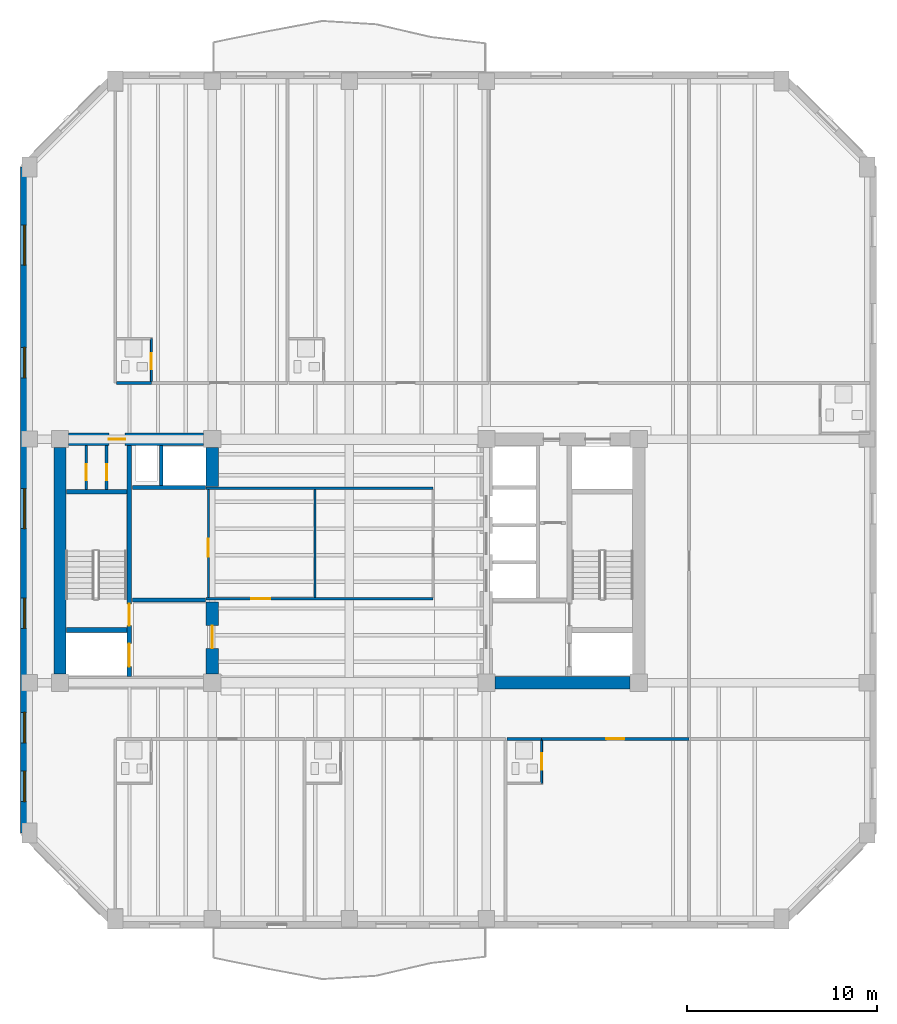
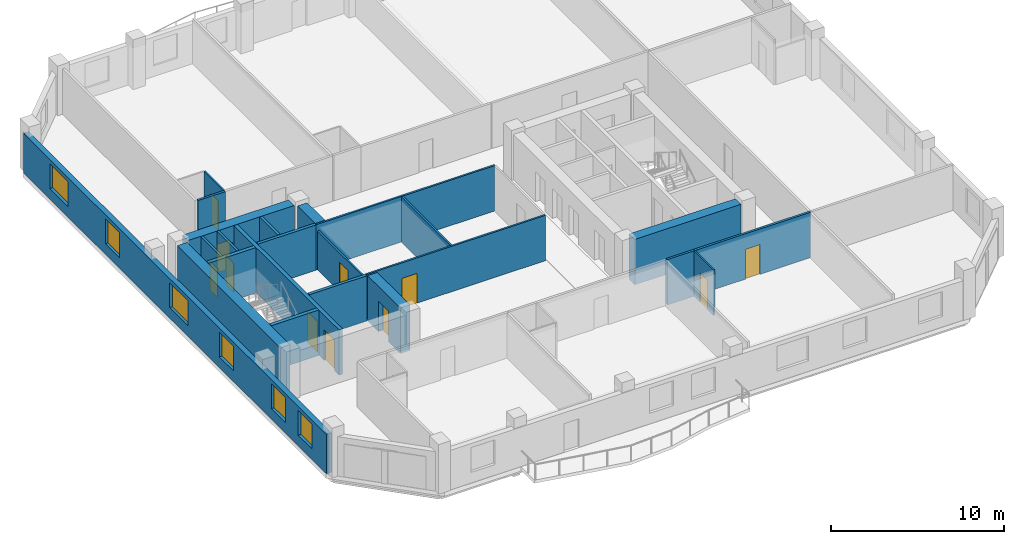
# One storey, part 3 of 9: 23 walls, 11 doors, 6 windows, 17 openings.
"""IFC4 building model written with IfcOpenShell, lengths in metres."""

from ifc_helpers import new_model, si_unit, direction, frame, frame_2d, origin, place, context, subcontext, project, spatial, rectangle, extrude, material, layer, layer_set, type_object, element, fill, save


model = new_model("IFC4")

# Units and contexts
model_context = context("Model", 3, precision=1e-05, world=origin(), true_north=direction((0.0, 1.0)))
body_context = subcontext(model_context, "Body", "Model", "MODEL_VIEW")
ifc_project = project(units=[si_unit("LENGTHUNIT", "METRE"), si_unit("AREAUNIT", "SQUARE_METRE"), si_unit("VOLUMEUNIT", "CUBIC_METRE"), si_unit("PLANEANGLEUNIT", "RADIAN"), si_unit("MASSUNIT", "GRAM", prefix="KILO")], contexts=[model_context])

# Site, building, storey
site_placement = place(None, origin())
site = spatial("IfcSite", under=ifc_project, at=site_placement, CompositionType="ELEMENT")
building_placement = place(site_placement, origin())
building = spatial("IfcBuilding", under=site, at=building_placement, Name="Kranthara Brick Stack", CompositionType="ELEMENT")
storey_placement = place(building_placement, frame((0.0, 0.0, 169.300048828125)))
storey = spatial("IfcBuildingStorey", under=building, at=storey_placement, Name="L43", CompositionType="ELEMENT", Elevation=169.300048828125)

# Wall, openings, windows
ifc_material_1 = material(Name="Kiln-fired clay brick masonry M15", Category="masonry")
ifc_layer_1 = layer(ifc_material_1, 0.35009765625)
ifc_layer_set_1 = layer_set([ifc_layer_1], Name="Kiln-fired clay brick masonry M15")
wall_type_1 = type_object("IfcWallType", Name="WL-BRK-SPND-350", PredefinedType="STANDARD", material=ifc_layer_set_1)
wall_1_placement = place(storey_placement, frame((10.89501953125, 12.89990234375, 0.0), z_axis=(0.0, 0.0, 1.0), x_axis=(0.0, 1.0, 0.0)))
wall_1 = element("IfcWall", 1, at=wall_1_placement, inside=storey, type_object=wall_type_1, Name="L43 Exterior Brick Facade Wall WEST 1", PredefinedType="STANDARD", context=body_context, shape_type="SweptSolid", body=[
    extrude(rectangle(XDim=35.0, YDim=0.35009765625, at=frame_2d((17.5, 0.0))), origin(), (0.0, 0.0, 1.0), 2.784912109375),
])
opening_1_placement = place(wall_1_placement, frame((1.652099609375, 0.0, 0.75)))
opening_1 = element("IfcOpeningElement", 2, at=opening_1_placement, cuts=wall_1, Name="Opening WN04", PredefinedType="OPENING", context=body_context, shape_type="SweptSolid", body=[
    extrude(rectangle(XDim=1.60009765625, YDim=1.75, at=frame_2d((0.800048828125, 0.875))), frame((0.0, 0.18505859375, 0.0), z_axis=(0.0, -1.0, 0.0), x_axis=(1.0, 0.0, 0.0)), (0.0, 0.0, 1.0), 0.3701171875),
])
opening_2_placement = place(wall_1_placement, frame((4.748046875, 0.0, 0.75)))
opening_2 = element("IfcOpeningElement", 3, at=opening_2_placement, cuts=wall_1, Name="Opening WN04", PredefinedType="OPENING", context=body_context, shape_type="SweptSolid", body=[
    extrude(rectangle(XDim=1.60009765625, YDim=1.75, at=frame_2d((0.800048828125, 0.875))), frame((0.0, 0.18505859375, 0.0), z_axis=(0.0, -1.0, 0.0), x_axis=(1.0, 0.0, 0.0)), (0.0, 0.0, 1.0), 0.3701171875),
])
opening_3_placement = place(wall_1_placement, frame((10.751953125, 0.0, 0.75)))
opening_3 = element("IfcOpeningElement", 4, at=opening_3_placement, cuts=wall_1, Name="Opening WN04", PredefinedType="OPENING", context=body_context, shape_type="SweptSolid", body=[
    extrude(rectangle(XDim=1.60009765625, YDim=1.75, at=frame_2d((0.800048828125, 0.875))), frame((0.0, 0.18505859375, 0.0), z_axis=(0.0, -1.0, 0.0), x_axis=(1.0, 0.0, 0.0)), (0.0, 0.0, 1.0), 0.3701171875),
])
opening_4_placement = place(wall_1_placement, frame((15.998046875, 0.0, 0.75)))
opening_4 = element("IfcOpeningElement", 5, at=opening_4_placement, cuts=wall_1, Name="Opening WN05", PredefinedType="OPENING", context=body_context, shape_type="SweptSolid", body=[
    extrude(rectangle(XDim=2.10009765625, YDim=1.75, at=frame_2d((1.050048828125, 0.875))), frame((0.0, 0.18505859375, 0.0), z_axis=(0.0, -1.0, 0.0), x_axis=(1.0, 0.0, 0.0)), (0.0, 0.0, 1.0), 0.3701171875),
])
opening_5_placement = place(wall_1_placement, frame((23.916015625, 0.0, 0.75)))
opening_5 = element("IfcOpeningElement", 6, at=opening_5_placement, cuts=wall_1, Name="Opening WN04", PredefinedType="OPENING", context=body_context, shape_type="SweptSolid", body=[
    extrude(rectangle(XDim=1.60009765625, YDim=1.75, at=frame_2d((0.800048828125, 0.875))), frame((0.0, 0.18505859375, 0.0), z_axis=(0.0, -1.0, 0.0), x_axis=(1.0, 0.0, 0.0)), (0.0, 0.0, 1.0), 0.3701171875),
])
opening_6_placement = place(wall_1_placement, frame((29.833984375, 0.0, 0.75)))
opening_6 = element("IfcOpeningElement", 7, at=opening_6_placement, cuts=wall_1, Name="Opening WN05", PredefinedType="OPENING", context=body_context, shape_type="SweptSolid", body=[
    extrude(rectangle(XDim=2.10009765625, YDim=1.75, at=frame_2d((1.050048828125, 0.875))), frame((0.0, 0.18505859375, 0.0), z_axis=(0.0, -1.0, 0.0), x_axis=(1.0, 0.0, 0.0)), (0.0, 0.0, 1.0), 0.3701171875),
])
ifc_material_2 = material(Name="Double-glazed low-E solar control glass", Category="glass")
window_type_1 = type_object("IfcWindowType", Name="WN-HTL-1600x1850", PartitioningType="DOUBLE_PANEL_VERTICAL", PredefinedType="WINDOW", material=ifc_material_2)
window_1_placement = place(opening_1_placement, origin())
window_1 = element("IfcWindow", 8, at=window_1_placement, inside=storey, type_object=window_type_1, Name="L43 West Deep-Set Brick Window 01", OverallHeight=1.75, OverallWidth=1.60009765625, PartitioningType="SINGLE_PANEL", PredefinedType="WINDOW", context=body_context, shape_type="SweptSolid", body=[
    extrude(rectangle(XDim=1.60009765625, YDim=1.75, at=frame_2d((0.800048828125, 0.875))), frame((0.0, -0.010009765625, 0.0), z_axis=(0.0, -1.0, 0.0), x_axis=(1.0, 0.0, 0.0)), (0.0, 0.0, 1.0), 0.06005859375),
])
fill(opening_1, window_1)
window_2_placement = place(opening_2_placement, origin())
window_2 = element("IfcWindow", 9, at=window_2_placement, inside=storey, type_object=window_type_1, Name="L43 West Deep-Set Brick Window 02", OverallHeight=1.75, OverallWidth=1.60009765625, PartitioningType="SINGLE_PANEL", PredefinedType="WINDOW", context=body_context, shape_type="SweptSolid", body=[
    extrude(rectangle(XDim=1.60009765625, YDim=1.75, at=frame_2d((0.800048828125, 0.875))), frame((0.0, -0.010009765625, 0.0), z_axis=(0.0, -1.0, 0.0), x_axis=(1.0, 0.0, 0.0)), (0.0, 0.0, 1.0), 0.06005859375),
])
fill(opening_2, window_2)
window_3_placement = place(opening_3_placement, origin())
window_3 = element("IfcWindow", 10, at=window_3_placement, inside=storey, type_object=window_type_1, Name="L43 West Deep-Set Brick Window 03", OverallHeight=1.75, OverallWidth=1.60009765625, PartitioningType="SINGLE_PANEL", PredefinedType="WINDOW", context=body_context, shape_type="SweptSolid", body=[
    extrude(rectangle(XDim=1.60009765625, YDim=1.75, at=frame_2d((0.800048828125, 0.875))), frame((0.0, -0.010009765625, 0.0), z_axis=(0.0, -1.0, 0.0), x_axis=(1.0, 0.0, 0.0)), (0.0, 0.0, 1.0), 0.06005859375),
])
fill(opening_3, window_3)
window_4_placement = place(opening_5_placement, origin())
window_4 = element("IfcWindow", 11, at=window_4_placement, inside=storey, type_object=window_type_1, Name="L43 West Deep-Set Brick Window 05", OverallHeight=1.75, OverallWidth=1.60009765625, PartitioningType="SINGLE_PANEL", PredefinedType="WINDOW", context=body_context, shape_type="SweptSolid", body=[
    extrude(rectangle(XDim=1.60009765625, YDim=1.75, at=frame_2d((0.800048828125, 0.875))), frame((0.0, -0.010009765625, 0.0), z_axis=(0.0, -1.0, 0.0), x_axis=(1.0, 0.0, 0.0)), (0.0, 0.0, 1.0), 0.06005859375),
])
fill(opening_5, window_4)
ifc_material_3 = material(Name="Double-glazed low-E solar control glass", Category="glass")
window_type_2 = type_object("IfcWindowType", Name="WN-HTL-2100x1850", PartitioningType="DOUBLE_PANEL_VERTICAL", PredefinedType="WINDOW", material=ifc_material_3)
window_5_placement = place(opening_4_placement, origin())
window_5 = element("IfcWindow", 12, at=window_5_placement, inside=storey, type_object=window_type_2, Name="L43 West Deep-Set Brick Window 04", OverallHeight=1.75, OverallWidth=2.10009765625, PartitioningType="SINGLE_PANEL", PredefinedType="WINDOW", context=body_context, shape_type="SweptSolid", body=[
    extrude(rectangle(XDim=2.10009765625, YDim=1.75, at=frame_2d((1.050048828125, 0.875))), frame((0.0, -0.010009765625, 0.0), z_axis=(0.0, -1.0, 0.0), x_axis=(1.0, 0.0, 0.0)), (0.0, 0.0, 1.0), 0.06005859375),
])
fill(opening_4, window_5)
window_6_placement = place(opening_6_placement, origin())
window_6 = element("IfcWindow", 13, at=window_6_placement, inside=storey, type_object=window_type_2, Name="L43 West Deep-Set Brick Window 06", OverallHeight=1.75, OverallWidth=2.10009765625, PartitioningType="SINGLE_PANEL", PredefinedType="WINDOW", context=body_context, shape_type="SweptSolid", body=[
    extrude(rectangle(XDim=2.10009765625, YDim=1.75, at=frame_2d((1.050048828125, 0.875))), frame((0.0, -0.010009765625, 0.0), z_axis=(0.0, -1.0, 0.0), x_axis=(1.0, 0.0, 0.0)), (0.0, 0.0, 1.0), 0.06005859375),
])
fill(opening_6, window_6)

# Wall, openings, doors
ifc_material_4 = material(Name="Concrete C50/60", Category="concrete")
ifc_layer_2 = layer(ifc_material_4, 0.25)
ifc_layer_set_2 = layer_set([ifc_layer_2], Name="Concrete C50/60")
wall_type_2 = type_object("IfcWallType", Name="WL-CORE-250", PredefinedType="SHEAR", material=ifc_layer_set_2)
wall_2_placement = place(storey_placement, frame((16.43505859375, 21.135009765625, 0.0), z_axis=(0.0, 0.0, 1.0), x_axis=(0.0, 1.0, 0.0)))
wall_2 = element("IfcWall", 14, at=wall_2_placement, inside=storey, type_object=wall_type_2, Name="L43 West Core Stair Bearing Spine Wall", PredefinedType="SHEAR", context=body_context, shape_type="SweptSolid", body=[
    extrude(rectangle(XDim=12.1298828125, YDim=0.25, at=frame_2d((6.06494140625, 0.0))), origin(), (0.0, 0.0, 1.0), 3.199951171875),
])
opening_7_placement = place(wall_2_placement, frame((0.514892578125, 0.0, 0.0)))
opening_7 = element("IfcOpeningElement", 15, at=opening_7_placement, cuts=wall_2, Name="Opening LD01", PredefinedType="OPENING", context=body_context, shape_type="SweptSolid", body=[
    extrude(rectangle(XDim=1.199951171875, YDim=2.14990234375, at=frame_2d((0.60009765625, 1.074951171875))), frame((0.0, 0.135009765625, 0.0), z_axis=(0.0, -1.0, 0.0), x_axis=(1.0, 0.0, 0.0)), (0.0, 0.0, 1.0), 0.27001953125),
])
opening_8_placement = place(wall_2_placement, frame((2.6650390625, 0.0, 0.0)))
opening_8 = element("IfcOpeningElement", 16, at=opening_8_placement, cuts=wall_2, Name="Opening D05", PredefinedType="OPENING", context=body_context, shape_type="SweptSolid", body=[
    extrude(rectangle(XDim=1.14990234375, YDim=2.14990234375, at=frame_2d((0.574951171875, 1.074951171875))), frame((0.0, 0.135009765625, 0.0), z_axis=(0.0, -1.0, 0.0), x_axis=(1.0, 0.0, 0.0)), (0.0, 0.0, 1.0), 0.27001953125),
])
ifc_material_5 = material(Name="Stainless steel sliding landing door", Category="steel")
door_type_1 = type_object("IfcDoorType", Name="DR-LD-FF1200", OperationType="DOUBLE_DOOR_SLIDING", PredefinedType="DOOR", material=ifc_material_5)
door_1_placement = place(opening_7_placement, origin())
door_1 = element("IfcDoor", 17, at=door_1_placement, inside=storey, type_object=door_type_1, Name="L43 Firefighting Lift FF-01 Landing Door", OperationType="DOUBLE_DOOR_SLIDING", OverallHeight=2.14990234375, OverallWidth=1.199951171875, PredefinedType="DOOR", context=body_context, shape_type="SweptSolid", body=[
    extrude(rectangle(XDim=1.199951171875, YDim=2.14990234375, at=frame_2d((0.60009765625, 1.074951171875))), frame((0.0, 0.02490234375, 0.0), z_axis=(0.0, -1.0, 0.0), x_axis=(1.0, 0.0, 0.0)), (0.0, 0.0, 1.0), 0.050048828125),
])
fill(opening_7, door_1)
ifc_material_6 = material(Name="Solid-core hardwood timber leaf in steel frame", Category="steel")
door_type_2 = type_object("IfcDoorType", Name="DR-ST-1150", OperationType="NOTDEFINED", PredefinedType="DOOR", material=ifc_material_6)
door_2_placement = place(opening_8_placement, origin())
door_2 = element("IfcDoor", 18, at=door_2_placement, inside=storey, type_object=door_type_2, Name="L43 Exit Stair ST01 Door", OperationType="SINGLE_SWING_RIGHT", OverallHeight=2.14990234375, OverallWidth=1.14990234375, PredefinedType="DOOR", context=body_context, shape_type="SweptSolid", body=[
    extrude(rectangle(XDim=1.14990234375, YDim=2.14990234375, at=frame_2d((0.574951171875, 1.074951171875))), frame((0.0, 0.02490234375, 0.0), z_axis=(0.0, -1.0, 0.0), x_axis=(1.0, 0.0, 0.0)), (0.0, 0.0, 1.0), 0.050048828125),
])
fill(opening_8, door_2)

# Walls
for number, where, z_axis, x_axis, name in (
    (19, (13.135009765625, 23.570068359375, 0.0), (0.0, 0.0, 1.0), (1.0, 0.0, 0.0), "L43 West Stairwell Bearing Wall WFF"),
    (20, (13.135009765625, 30.830078125, 0.0), (0.0, 0.0, 1.0), (1.0, 0.0, 0.0), "L43 West Stairwell Bearing Wall WST"),
):
    element("IfcWall", number, at=place(storey_placement, frame(where, z_axis=z_axis, x_axis=x_axis)), inside=storey, type_object=wall_type_2, Name=name, PredefinedType="SHEAR", context=body_context, shape_type="SweptSolid", body=[
        extrude(rectangle(XDim=3.175048828125, YDim=0.25, at=frame_2d((1.58740234375, 0.0))), origin(), (0.0, 0.0, 1.0), 3.199951171875),
    ])
ifc_material_7 = material(Name="Concrete C60/75", Category="concrete")
ifc_layer_3 = layer(ifc_material_7, 0.64990234375)
ifc_layer_set_3 = layer_set([ifc_layer_3], Name="Concrete C60/75")
wall_type_3 = type_object("IfcWallType", Name="WL-CORE-650", PredefinedType="SHEAR", material=ifc_layer_set_3)
wall_3_placement = place(storey_placement, frame((12.800048828125, 21.2548828125, 0.0), z_axis=(0.0, 0.0, 1.0), x_axis=(0.0, 1.0, 0.0)))
element("IfcWall", 21, at=wall_3_placement, inside=storey, type_object=wall_type_3, Name="L43 West Core Shear Wall West", PredefinedType="SHEAR", context=body_context, shape_type="SweptSolid", body=[
    extrude(rectangle(XDim=11.89013671875, YDim=0.64990234375, at=frame_2d((5.945068359375, 0.0))), origin(), (0.0, 0.0, 1.0), 3.199951171875),
])

# Wall, opening, door
wall_4_placement = place(storey_placement, frame((13.2548828125, 33.60009765625, 0.0), z_axis=(0.0, 0.0, 1.0), x_axis=(1.0, 0.0, 0.0)))
wall_4 = element("IfcWall", 22, at=wall_4_placement, inside=storey, type_object=wall_type_3, Name="L43 West Core Shear Wall North", PredefinedType="SHEAR", context=body_context, shape_type="SweptSolid", body=[
    extrude(rectangle(XDim=7.090087890625, YDim=0.64990234375, at=frame_2d((3.544921875, 0.0))), origin(), (0.0, 0.0, 1.0), 3.199951171875),
])
opening_9_placement = place(wall_4_placement, frame((2.114990234375, 0.0, 0.0)))
opening_9 = element("IfcOpeningElement", 23, at=opening_9_placement, cuts=wall_4, Name="Opening D10", PredefinedType="OPENING", context=body_context, shape_type="SweptSolid", body=[
    extrude(rectangle(XDim=0.85009765625, YDim=2.02001953125, at=frame_2d((0.425048828125, 1.010009765625))), frame((0.0, 0.3349609375, 0.0), z_axis=(0.0, -1.0, 0.0), x_axis=(1.0, 0.0, 0.0)), (0.0, 0.0, 1.0), 0.669921875),
])
ifc_material_8 = material(Name="Solid-core hardwood timber leaf in steel frame", Category="steel")
door_type_3 = type_object("IfcDoorType", Name="DR-RSR-850", OperationType="NOTDEFINED", PredefinedType="DOOR", material=ifc_material_8)
door_3_placement = place(opening_9_placement, origin())
door_3 = element("IfcDoor", 24, at=door_3_placement, inside=storey, type_object=door_type_3, Name="L43 West Core Service Door 1", OperationType="SINGLE_SWING_RIGHT", OverallHeight=2.02001953125, OverallWidth=0.85009765625, PredefinedType="DOOR", context=body_context, shape_type="SweptSolid", body=[
    extrude(rectangle(XDim=0.85009765625, YDim=2.02001953125, at=frame_2d((0.425048828125, 1.010009765625))), frame((0.0, 0.02490234375, 0.0), z_axis=(0.0, -1.0, 0.0), x_axis=(1.0, 0.0, 0.0)), (0.0, 0.0, 1.0), 0.050048828125),
])
fill(opening_9, door_3)

wall_5_placement = place(storey_placement, frame((20.800048828125, 21.2548828125, 0.0), z_axis=(0.0, 0.0, 1.0), x_axis=(0.0, 1.0, 0.0)))
wall_5 = element("IfcWall", 25, at=wall_5_placement, inside=storey, type_object=wall_type_3, Name="L43 West Core Lobby Shear Wall", PredefinedType="SHEAR", context=body_context, shape_type="SweptSolid", body=[
    extrude(rectangle(XDim=3.795166015625, YDim=0.64990234375, at=frame_2d((1.8974609375, 0.0))), origin(), (0.0, 0.0, 1.0), 3.199951171875),
])
opening_10_placement = place(wall_5_placement, frame((1.344970703125, 0.0, 0.0)))
opening_10 = element("IfcOpeningElement", 26, at=opening_10_placement, cuts=wall_5, Name="Opening D06", PredefinedType="OPENING", context=body_context, shape_type="SweptSolid", body=[
    extrude(rectangle(XDim=1.199951171875, YDim=2.14990234375, at=frame_2d((0.60009765625, 1.074951171875))), frame((0.0, 0.3349609375, 0.0), z_axis=(0.0, -1.0, 0.0), x_axis=(1.0, 0.0, 0.0)), (0.0, 0.0, 1.0), 0.669921875),
])
ifc_material_9 = material(Name="Solid-core hardwood timber leaf in steel frame", Category="steel")
door_type_4 = type_object("IfcDoorType", Name="DR-FFL-1200", OperationType="NOTDEFINED", PredefinedType="DOOR", material=ifc_material_9)
door_4_placement = place(opening_10_placement, origin())
door_4 = element("IfcDoor", 27, at=door_4_placement, inside=storey, type_object=door_type_4, Name="L43 West Firefighting Lobby Door", OperationType="SINGLE_SWING_LEFT", OverallHeight=2.14990234375, OverallWidth=1.199951171875, PredefinedType="DOOR", context=body_context, shape_type="SweptSolid", body=[
    extrude(rectangle(XDim=1.199951171875, YDim=2.14990234375, at=frame_2d((0.60009765625, 1.074951171875))), frame((0.0, 0.02490234375, 0.0), z_axis=(0.0, -1.0, 0.0), x_axis=(1.0, 0.0, 0.0)), (0.0, 0.0, 1.0), 0.050048828125),
])
fill(opening_10, door_4)

# Walls
wall_6_placement = place(storey_placement, frame((20.800048828125, 31.10009765625, 0.0), z_axis=(0.0, 0.0, 1.0), x_axis=(0.0, 1.0, 0.0)))
element("IfcWall", 28, at=wall_6_placement, inside=storey, type_object=wall_type_3, Name="L43 West Core High-Rise Lift Wall", PredefinedType="SHEAR", context=body_context, shape_type="SweptSolid", body=[
    extrude(rectangle(XDim=2.044921875, YDim=0.64990234375, at=frame_2d((1.0224609375, 0.0))), origin(), (0.0, 0.0, 1.0), 3.199951171875),
])
wall_7_placement = place(storey_placement, frame((35.655029296875, 20.800048828125, 0.0), z_axis=(0.0, 0.0, 1.0), x_axis=(1.0, 0.0, 0.0)))
element("IfcWall", 29, at=wall_7_placement, inside=storey, type_object=wall_type_3, Name="L43 East Core Shear Wall South", PredefinedType="SHEAR", context=body_context, shape_type="SweptSolid", body=[
    extrude(rectangle(XDim=7.090087890625, YDim=0.64990234375, at=frame_2d((3.544921875, 0.0))), origin(), (0.0, 0.0, 1.0), 3.199951171875),
])

# Wall, opening, door
ifc_material_10 = material(Name="Moisture-resistant wet-room partition", Category="other")
ifc_layer_4 = layer(ifc_material_10, 0.10009765625)
ifc_layer_set_4 = layer_set([ifc_layer_4], Name="Moisture-resistant wet-room partition")
wall_type_4 = type_object("IfcWallType", Name="WL-PART-100", PredefinedType="PARTITIONING", material=ifc_layer_set_4)
wall_8_placement = place(storey_placement, frame((38.10205078125, 15.52001953125, 0.0), z_axis=(0.0, 0.0, 1.0), x_axis=(0.0, 1.0, 0.0)))
wall_8 = element("IfcWall", 30, at=wall_8_placement, inside=storey, type_object=wall_type_4, Name="L43 Interior Partition 022", PredefinedType="PARTITIONING", context=body_context, shape_type="SweptSolid", body=[
    extrude(rectangle(XDim=2.25, YDim=0.10009765625, at=frame_2d((1.125, 0.0))), origin(), (0.0, 0.0, 1.0), 3.199951171875),
])
opening_11_placement = place(wall_8_placement, frame((0.719970703125, 0.0, 0.0)))
opening_11 = element("IfcOpeningElement", 31, at=opening_11_placement, cuts=wall_8, Name="Opening D17", PredefinedType="OPENING", context=body_context, shape_type="SweptSolid", body=[
    extrude(rectangle(XDim=0.85009765625, YDim=2.050048828125, at=frame_2d((0.425048828125, 1.02490234375))), frame((0.0, 0.06005859375, 0.0), z_axis=(0.0, -1.0, 0.0), x_axis=(1.0, 0.0, 0.0)), (0.0, 0.0, 1.0), 0.1201171875),
])
ifc_material_11 = material(Name="Solid-core hardwood timber leaf in steel frame", Category="steel")
door_type_5 = type_object("IfcDoorType", Name="DR-WET-850", OperationType="NOTDEFINED", PredefinedType="DOOR", material=ifc_material_11)
door_5_placement = place(opening_11_placement, origin())
door_5 = element("IfcDoor", 32, at=door_5_placement, inside=storey, type_object=door_type_5, Name="L43 Key 03 En-Suite Door 11", OperationType="SINGLE_SWING_LEFT", OverallHeight=2.050048828125, OverallWidth=0.85009765625, PredefinedType="DOOR", context=body_context, shape_type="SweptSolid", body=[
    extrude(rectangle(XDim=0.85009765625, YDim=2.050048828125, at=frame_2d((0.425048828125, 1.02490234375))), frame((0.0, 0.02490234375, 0.0), z_axis=(0.0, -1.0, 0.0), x_axis=(1.0, 0.0, 0.0)), (0.0, 0.0, 1.0), 0.050048828125),
])
fill(opening_11, door_5)

wall_9_placement = place(storey_placement, frame((17.60009765625, 36.6298828125, 0.0), z_axis=(0.0, 0.0, 1.0), x_axis=(0.0, 1.0, 0.0)))
wall_9 = element("IfcWall", 33, at=wall_9_placement, inside=storey, type_object=wall_type_4, Name="L43 Interior Partition 028", PredefinedType="PARTITIONING", context=body_context, shape_type="SweptSolid", body=[
    extrude(rectangle(XDim=2.25, YDim=0.10009765625, at=frame_2d((1.125, 0.0))), origin(), (0.0, 0.0, 1.0), 3.199951171875),
])
opening_12_placement = place(wall_9_placement, frame((0.639892578125, 0.0, 0.0)))
opening_12 = element("IfcOpeningElement", 34, at=opening_12_placement, cuts=wall_9, Name="Opening D17", PredefinedType="OPENING", context=body_context, shape_type="SweptSolid", body=[
    extrude(rectangle(XDim=0.85009765625, YDim=2.050048828125, at=frame_2d((0.425048828125, 1.02490234375))), frame((0.0, 0.06005859375, 0.0), z_axis=(0.0, -1.0, 0.0), x_axis=(1.0, 0.0, 0.0)), (0.0, 0.0, 1.0), 0.1201171875),
])
door_6_placement = place(opening_12_placement, origin())
door_6 = element("IfcDoor", 35, at=door_6_placement, inside=storey, type_object=door_type_5, Name="L43 Key 04 En-Suite Door 13", OperationType="SINGLE_SWING_LEFT", OverallHeight=2.050048828125, OverallWidth=0.85009765625, PredefinedType="DOOR", context=body_context, shape_type="SweptSolid", body=[
    extrude(rectangle(XDim=0.85009765625, YDim=2.050048828125, at=frame_2d((0.425048828125, 1.02490234375))), frame((0.0, 0.02490234375, 0.0), z_axis=(0.0, -1.0, 0.0), x_axis=(1.0, 0.0, 0.0)), (0.0, 0.0, 1.0), 0.050048828125),
])
fill(opening_12, door_6)

ifc_material_12 = material(Name="Acoustic gypsum plasterboard partition", Category="other")
ifc_layer_5 = layer(ifc_material_12, 0.1201171875)
ifc_layer_set_5 = layer_set([ifc_layer_5], Name="Acoustic gypsum plasterboard partition")
wall_type_5 = type_object("IfcWallType", Name="WL-PART-120", PredefinedType="PARTITIONING", material=ifc_layer_set_5)
wall_10_placement = place(storey_placement, frame((20.4599609375, 25.219970703125, 0.0), z_axis=(0.0, 0.0, 1.0), x_axis=(1.0, 0.0, 0.0)))
wall_10 = element("IfcWall", 36, at=wall_10_placement, inside=storey, type_object=wall_type_5, Name="L43 Interior Partition 004", PredefinedType="PARTITIONING", context=body_context, shape_type="SweptSolid", body=[
    extrude(rectangle(XDim=11.93994140625, YDim=0.1201171875, at=frame_2d((5.969970703125, 0.0))), origin(), (0.0, 0.0, 1.0), 3.199951171875),
])
opening_13_placement = place(wall_10_placement, frame((2.389892578125, 0.0, 0.0)))
opening_13 = element("IfcOpeningElement", 37, at=opening_13_placement, cuts=wall_10, Name="Opening D13", PredefinedType="OPENING", context=body_context, shape_type="SweptSolid", body=[
    extrude(rectangle(XDim=1.0, YDim=2.10009765625, at=frame_2d((0.5, 1.050048828125))), frame((0.0, 0.070068359375, 0.0), z_axis=(0.0, -1.0, 0.0), x_axis=(1.0, 0.0, 0.0)), (0.0, 0.0, 1.0), 0.14013671875),
])
ifc_material_13 = material(Name="Solid-core hardwood timber leaf in steel frame", Category="steel")
door_type_6 = type_object("IfcDoorType", Name="DR-INT-1000", OperationType="NOTDEFINED", PredefinedType="DOOR", material=ifc_material_13)
door_7_placement = place(opening_13_placement, origin())
door_7 = element("IfcDoor", 38, at=door_7_placement, inside=storey, type_object=door_type_6, Name="L43 Tea Salon Door 05", OperationType="SINGLE_SWING_LEFT", OverallHeight=2.10009765625, OverallWidth=1.0, PredefinedType="DOOR", context=body_context, shape_type="SweptSolid", body=[
    extrude(rectangle(XDim=1.0, YDim=2.10009765625, at=frame_2d((0.5, 1.050048828125))), frame((0.0, 0.02490234375, 0.0), z_axis=(0.0, -1.0, 0.0), x_axis=(1.0, 0.0, 0.0)), (0.0, 0.0, 1.0), 0.050048828125),
])
fill(opening_13, door_7)

# Wall
wall_11_placement = place(storey_placement, frame((20.4599609375, 31.02001953125, 0.0), z_axis=(0.0, 0.0, 1.0), x_axis=(1.0, 0.0, 0.0)))
element("IfcWall", 39, at=wall_11_placement, inside=storey, type_object=wall_type_5, Name="L43 Interior Partition 005", PredefinedType="PARTITIONING", context=body_context, shape_type="SweptSolid", body=[
    extrude(rectangle(XDim=11.93994140625, YDim=0.1201171875, at=frame_2d((5.969970703125, 0.0))), origin(), (0.0, 0.0, 1.0), 3.199951171875),
])

# Wall, opening, door
wall_12_placement = place(storey_placement, frame((20.60009765625, 25.284912109375, 0.0), z_axis=(0.0, 0.0, 1.0), x_axis=(0.0, 1.0, 0.0)))
wall_12 = element("IfcWall", 40, at=wall_12_placement, inside=storey, type_object=wall_type_5, Name="L43 Interior Partition 007", PredefinedType="PARTITIONING", context=body_context, shape_type="SweptSolid", body=[
    extrude(rectangle(XDim=5.670166015625, YDim=0.1201171875, at=frame_2d((2.8349609375, 0.0))), origin(), (0.0, 0.0, 1.0), 2.73486328125),
])
opening_14_placement = place(wall_12_placement, frame((2.135009765625, 0.0, 0.0)))
opening_14 = element("IfcOpeningElement", 41, at=opening_14_placement, cuts=wall_12, Name="Opening D14", PredefinedType="OPENING", context=body_context, shape_type="SweptSolid", body=[
    extrude(rectangle(XDim=0.949951171875, YDim=2.10009765625, at=frame_2d((0.47509765625, 1.050048828125))), frame((0.0, 0.070068359375, 0.0), z_axis=(0.0, -1.0, 0.0), x_axis=(1.0, 0.0, 0.0)), (0.0, 0.0, 1.0), 0.14013671875),
])
ifc_material_14 = material(Name="Solid-core hardwood timber leaf in steel frame", Category="steel")
door_type_7 = type_object("IfcDoorType", Name="DR-INT-950", OperationType="NOTDEFINED", PredefinedType="DOOR", material=ifc_material_14)
door_8_placement = place(opening_14_placement, origin())
door_8 = element("IfcDoor", 42, at=door_8_placement, inside=storey, type_object=door_type_7, Name="L43 Inner Archive Door 04", OperationType="SINGLE_SWING_RIGHT", OverallHeight=2.10009765625, OverallWidth=0.949951171875, PredefinedType="DOOR", context=body_context, shape_type="SweptSolid", body=[
    extrude(rectangle(XDim=0.949951171875, YDim=2.10009765625, at=frame_2d((0.47509765625, 1.050048828125))), frame((0.0, 0.02490234375, 0.0), z_axis=(0.0, -1.0, 0.0), x_axis=(1.0, 0.0, 0.0)), (0.0, 0.0, 1.0), 0.050048828125),
])
fill(opening_14, door_8)

# Wall
wall_13_placement = place(storey_placement, frame((26.199951171875, 25.284912109375, 0.0), z_axis=(0.0, 0.0, 1.0), x_axis=(0.0, 1.0, 0.0)))
element("IfcWall", 43, at=wall_13_placement, inside=storey, type_object=wall_type_5, Name="L43 Interior Partition 008", PredefinedType="PARTITIONING", context=body_context, shape_type="SweptSolid", body=[
    extrude(rectangle(XDim=5.670166015625, YDim=0.1201171875, at=frame_2d((2.8349609375, 0.0))), origin(), (0.0, 0.0, 1.0), 3.199951171875),
])

# Wall, opening, door
ifc_material_15 = material(Name="Fire-rated gypsum board partition", Category="other")
ifc_layer_6 = layer(ifc_material_15, 0.14990234375)
ifc_layer_set_6 = layer_set([ifc_layer_6], Name="Fire-rated gypsum board partition")
wall_type_6 = type_object("IfcWallType", Name="WL-PART-150", PredefinedType="PARTITIONING", material=ifc_layer_set_6)
wall_14_placement = place(storey_placement, frame((14.179931640625, 30.9599609375, 0.0), z_axis=(0.0, 0.0, 1.0), x_axis=(0.0, 1.0, 0.0)))
wall_14 = element("IfcWall", 44, at=wall_14_placement, inside=storey, type_object=wall_type_6, Name="L43 Interior Partition 001", PredefinedType="PARTITIONING", context=body_context, shape_type="SweptSolid", body=[
    extrude(rectangle(XDim=2.31005859375, YDim=0.14990234375, at=frame_2d((1.155029296875, 0.0))), origin(), (0.0, 0.0, 1.0), 3.199951171875),
])
opening_15_placement = place(wall_14_placement, frame((0.469970703125, 0.0, 0.0)))
opening_15 = element("IfcOpeningElement", 45, at=opening_15_placement, cuts=wall_14, Name="Opening D10", PredefinedType="OPENING", context=body_context, shape_type="SweptSolid", body=[
    extrude(rectangle(XDim=0.85009765625, YDim=2.02001953125, at=frame_2d((0.425048828125, 1.010009765625))), frame((0.0, 0.0849609375, 0.0), z_axis=(0.0, -1.0, 0.0), x_axis=(1.0, 0.0, 0.0)), (0.0, 0.0, 1.0), 0.169921875),
])
door_9_placement = place(opening_15_placement, origin())
door_9 = element("IfcDoor", 46, at=door_9_placement, inside=storey, type_object=door_type_3, Name="L43 Riser Door A 01", OperationType="SINGLE_SWING_LEFT", OverallHeight=2.02001953125, OverallWidth=0.85009765625, PredefinedType="DOOR", context=body_context, shape_type="SweptSolid", body=[
    extrude(rectangle(XDim=0.85009765625, YDim=2.02001953125, at=frame_2d((0.425048828125, 1.010009765625))), frame((0.0, 0.02490234375, 0.0), z_axis=(0.0, -1.0, 0.0), x_axis=(1.0, 0.0, 0.0)), (0.0, 0.0, 1.0), 0.050048828125),
])
fill(opening_15, door_9)

wall_15_placement = place(storey_placement, frame((15.25, 30.9599609375, 0.0), z_axis=(0.0, 0.0, 1.0), x_axis=(0.0, 1.0, 0.0)))
wall_15 = element("IfcWall", 47, at=wall_15_placement, inside=storey, type_object=wall_type_6, Name="L43 Interior Partition 002", PredefinedType="PARTITIONING", context=body_context, shape_type="SweptSolid", body=[
    extrude(rectangle(XDim=2.31005859375, YDim=0.14990234375, at=frame_2d((1.155029296875, 0.0))), origin(), (0.0, 0.0, 1.0), 3.199951171875),
])
opening_16_placement = place(wall_15_placement, frame((0.469970703125, 0.0, 0.0)))
opening_16 = element("IfcOpeningElement", 48, at=opening_16_placement, cuts=wall_15, Name="Opening D10", PredefinedType="OPENING", context=body_context, shape_type="SweptSolid", body=[
    extrude(rectangle(XDim=0.85009765625, YDim=2.02001953125, at=frame_2d((0.425048828125, 1.010009765625))), frame((0.0, 0.0849609375, 0.0), z_axis=(0.0, -1.0, 0.0), x_axis=(1.0, 0.0, 0.0)), (0.0, 0.0, 1.0), 0.169921875),
])
door_10_placement = place(opening_16_placement, origin())
door_10 = element("IfcDoor", 49, at=door_10_placement, inside=storey, type_object=door_type_3, Name="L43 Riser Door B 02", OperationType="SINGLE_SWING_RIGHT", OverallHeight=2.02001953125, OverallWidth=0.85009765625, PredefinedType="DOOR", context=body_context, shape_type="SweptSolid", body=[
    extrude(rectangle(XDim=0.85009765625, YDim=2.02001953125, at=frame_2d((0.425048828125, 1.010009765625))), frame((0.0, 0.02490234375, 0.0), z_axis=(0.0, -1.0, 0.0), x_axis=(1.0, 0.0, 0.0)), (0.0, 0.0, 1.0), 0.050048828125),
])
fill(opening_16, door_10)

# Wall
wall_16_placement = place(storey_placement, frame((36.281982421875, 17.85009765625, 0.0), z_axis=(0.0, 0.0, 1.0), x_axis=(1.0, 0.0, 0.0)))
element("IfcWall", 50, at=wall_16_placement, inside=storey, type_object=wall_type_6, Name="L43 Interior Partition 020", PredefinedType="PARTITIONING", context=body_context, shape_type="SweptSolid", body=[
    extrude(rectangle(XDim=1.820068359375, YDim=0.14990234375, at=frame_2d((0.91015625, 0.0))), origin(), (0.0, 0.0, 1.0), 3.199951171875),
])

# Wall, opening, door
wall_17_placement = place(storey_placement, frame((38.10205078125, 17.85009765625, 0.0), z_axis=(0.0, 0.0, 1.0), x_axis=(1.0, 0.0, 0.0)))
wall_17 = element("IfcWall", 51, at=wall_17_placement, inside=storey, type_object=wall_type_6, Name="L43 Interior Partition 021", PredefinedType="PARTITIONING", context=body_context, shape_type="SweptSolid", body=[
    extrude(rectangle(XDim=7.748046875, YDim=0.14990234375, at=frame_2d((3.8740234375, 0.0))), origin(), (0.0, 0.0, 1.0), 3.199951171875),
])
opening_17_placement = place(wall_17_placement, frame((3.39404296875, 0.0, 0.0)))
opening_17 = element("IfcOpeningElement", 52, at=opening_17_placement, cuts=wall_17, Name="Opening D09", PredefinedType="OPENING", context=body_context, shape_type="SweptSolid", body=[
    extrude(rectangle(XDim=0.949951171875, YDim=2.10009765625, at=frame_2d((0.47509765625, 1.050048828125))), frame((0.0, 0.0849609375, 0.0), z_axis=(0.0, -1.0, 0.0), x_axis=(1.0, 0.0, 0.0)), (0.0, 0.0, 1.0), 0.169921875),
])
ifc_material_16 = material(Name="Solid-core hardwood timber leaf in steel frame", Category="steel")
door_type_8 = type_object("IfcDoorType", Name="DR-FD-950", OperationType="NOTDEFINED", PredefinedType="DOOR", material=ifc_material_16)
door_11_placement = place(opening_17_placement, origin())
door_11 = element("IfcDoor", 53, at=door_11_placement, inside=storey, type_object=door_type_8, Name="L43 Key 03 Entry 12", OperationType="SINGLE_SWING_RIGHT", OverallHeight=2.10009765625, OverallWidth=0.949951171875, PredefinedType="DOOR", context=body_context, shape_type="SweptSolid", body=[
    extrude(rectangle(XDim=0.949951171875, YDim=2.10009765625, at=frame_2d((0.47509765625, 1.050048828125))), frame((0.0, 0.02490234375, 0.0), z_axis=(0.0, -1.0, 0.0), x_axis=(1.0, 0.0, 0.0)), (0.0, 0.0, 1.0), 0.050048828125),
])
fill(opening_17, door_11)

# Walls
wall_18_placement = place(storey_placement, frame((15.780029296875, 36.550048828125, 0.0), z_axis=(0.0, 0.0, 1.0), x_axis=(1.0, 0.0, 0.0)))
element("IfcWall", 54, at=wall_18_placement, inside=storey, type_object=wall_type_6, Name="L43 Interior Partition 026", PredefinedType="PARTITIONING", context=body_context, shape_type="SweptSolid", body=[
    extrude(rectangle(XDim=1.820068359375, YDim=0.14990234375, at=frame_2d((0.91015625, 0.0))), origin(), (0.0, 0.0, 1.0), 3.199951171875),
])
ifc_material_17 = material(Name="Gypsum plasterboard on acoustic twin stud", Category="other")
ifc_layer_7 = layer(ifc_material_17, 0.179931640625)
ifc_layer_set_7 = layer_set([ifc_layer_7], Name="Gypsum plasterboard on acoustic twin stud")
wall_type_7 = type_object("IfcWallType", Name="WL-PART-180", PredefinedType="PARTITIONING", material=ifc_layer_set_7)
wall_19_placement = place(storey_placement, frame((18.1201171875, 31.169921875, 0.0), z_axis=(0.0, 0.0, 1.0), x_axis=(0.0, 1.0, 0.0)))
element("IfcWall", 55, at=wall_19_placement, inside=storey, type_object=wall_type_7, Name="L43 PL-07 Shaft Back Wall", PredefinedType="PARTITIONING", context=body_context, shape_type="SweptSolid", body=[
    extrude(rectangle(XDim=2.094970703125, YDim=0.179931640625, at=frame_2d((1.04736328125, 0.0))), origin(), (0.0, 0.0, 1.0), 3.199951171875),
])
ifc_material_18 = material(Name="Concrete C40/50", Category="concrete")
ifc_layer_8 = layer(ifc_material_18, 0.199951171875)
ifc_layer_set_8 = layer_set([ifc_layer_8], Name="Concrete C40/50")
wall_type_8 = type_object("IfcWallType", Name="WL-PART-200", PredefinedType="SOLIDWALL", material=ifc_layer_set_8)
for number, where, z_axis, x_axis, name in (
    (56, (16.60009765625, 25.14990234375, 0.0), (0.0, 0.0, 1.0), (1.0, 0.0, 0.0), "L43 West Core Cross Wall WFL"),
    (57, (16.60009765625, 31.050048828125, 0.0), (0.0, 0.0, 1.0), (1.0, 0.0, 0.0), "L43 West Core Cross Wall WH4"),
):
    element("IfcWall", number, at=place(storey_placement, frame(where, z_axis=z_axis, x_axis=x_axis)), inside=storey, type_object=wall_type_8, Name=name, PredefinedType="SOLIDWALL", context=body_context, shape_type="SweptSolid", body=[
        extrude(rectangle(XDim=3.849853515625, YDim=0.199951171875, at=frame_2d((1.9248046875, 0.0))), origin(), (0.0, 0.0, 1.0), 3.199951171875),
    ])

save(model, "model.ifc")
